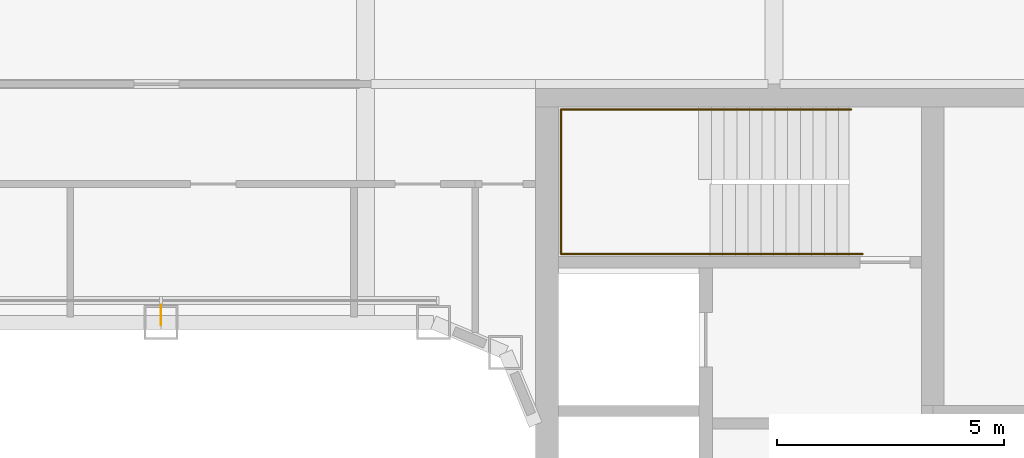
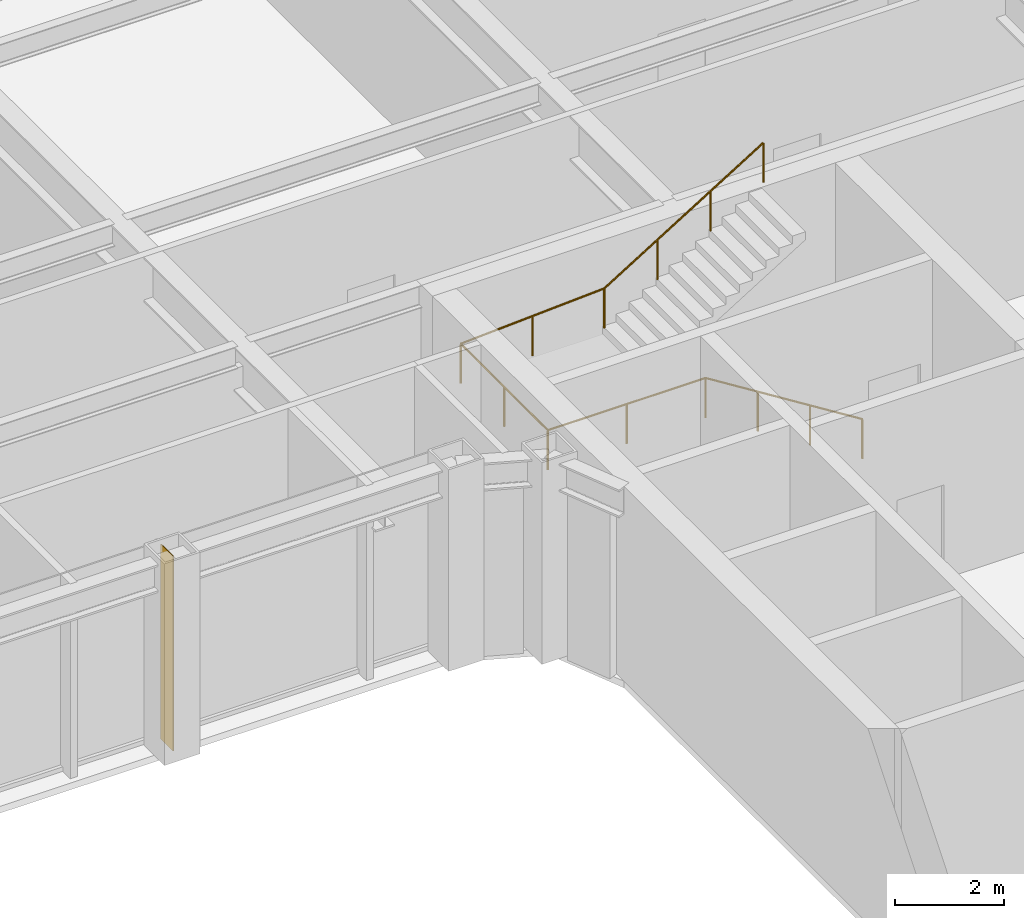
# One storey, part 28 of 30: 1 railing, 1 shading device.
"""IFC4 building model written with IfcOpenShell, lengths in metres."""

from ifc_helpers import new_model, si_unit, direction, frame, origin, origin_2d, place, context, subcontext, project, spatial, rectangle, circle, extrude, material, layer, layer_set, type_object, element, save


model = new_model("IFC4")

# Units and contexts
model_context = context("Model", 3, precision=1e-05, world=origin(), true_north=direction((0.0, 1.0)))
body_context = subcontext(model_context, "Body", "Model", "MODEL_VIEW")
ifc_project = project(units=[si_unit("LENGTHUNIT", "METRE"), si_unit("AREAUNIT", "SQUARE_METRE"), si_unit("VOLUMEUNIT", "CUBIC_METRE"), si_unit("PLANEANGLEUNIT", "RADIAN"), si_unit("MASSUNIT", "GRAM", prefix="KILO")], contexts=[model_context])

# Site, building, storey
site_placement = place(None, origin())
site = spatial("IfcSite", under=ifc_project, at=site_placement, CompositionType="ELEMENT")
building_placement = place(site_placement, origin())
building = spatial("IfcBuilding", under=site, at=building_placement, Name="Siwar Civic Tower", CompositionType="ELEMENT")
storey_placement = place(building_placement, frame((0.0, 0.0, 80.699951171875)))
storey = spatial("IfcBuildingStorey", under=building, at=storey_placement, Name="L17", CompositionType="ELEMENT", Elevation=80.699951171875)

# Railing
ifc_material_1 = material(Name="Stainless steel", Category="steel")
railing_type = type_object("IfcRailingType", Name="CORE-STAIR-HANDRAIL", PredefinedType="HANDRAIL", material=ifc_material_1)
railing_placement = place(storey_placement, frame((15.449951171875, 9.758056640625, 0.173095703125)))
element("IfcRailing", 1, at=railing_placement, inside=storey, type_object=railing_type, Name="Stair handrail ST3", PredefinedType="HANDRAIL", context=body_context, shape_type="SweptSolid", body=[
    extrude(circle(Radius=0.02001953125, at=origin_2d()), frame((0.0, 0.0, 0.8798828125), z_axis=(-0.847063342986, 0.0, 0.531491950051), x_axis=(0.0, -1.0, 0.0)), (0.0, 0.0, 1.0), 3.90771484375),
    extrude(circle(Radius=0.02001953125, at=origin_2d()), frame((-3.31005859375, 0.0, 2.956787109375), z_axis=(-1.0, 0.0, 0.0), x_axis=(0.0, -1.0, 0.0)), (0.0, 0.0, 1.0), 3.331787109375),
    extrude(circle(Radius=0.02001953125, at=origin_2d()), frame((-6.641845703125, 0.0, 2.956787109375), z_axis=(0.0, 1.0, 0.0), x_axis=(-1.0, 0.0, 0.0)), (0.0, 0.0, 1.0), 3.183837890625),
    extrude(circle(Radius=0.02001953125, at=origin_2d()), frame((-6.641845703125, 3.183837890625, 2.956787109375), z_axis=(0.99837434197, 0.0, 0.056997134106), x_axis=(0.0, 1.0, 0.0)), (0.0, 0.0, 1.0), 3.036865234375),
    extrude(circle(Radius=0.02001953125, at=origin_2d()), frame((-3.60986328125, 3.183837890625, 3.1298828125), z_axis=(0.850606129759, 0.0, 0.525803396734), x_axis=(0.0, 1.0, 0.0)), (0.0, 0.0, 1.0), 3.949951171875),
    extrude(circle(Radius=0.02001953125, at=origin_2d()), origin(), (0.0, 0.0, 1.0), 0.85986328125),
    extrude(circle(Radius=0.02001953125, at=origin_2d()), frame((-1.103271484375, 0.0, 0.6923828125)), (0.0, 0.0, 1.0), 0.85986328125),
    extrude(circle(Radius=0.02001953125, at=origin_2d()), frame((-2.206787109375, 0.0, 1.384521484375)), (0.0, 0.0, 1.0), 0.85986328125),
    extrude(circle(Radius=0.02001953125, at=origin_2d()), frame((-3.31005859375, 0.0, 2.076904296875)), (0.0, 0.0, 1.0), 0.85986328125),
    extrude(circle(Radius=0.02001953125, at=origin_2d()), frame((-4.97607421875, 0.0, 2.076904296875)), (0.0, 0.0, 1.0), 0.85986328125),
    extrude(circle(Radius=0.02001953125, at=origin_2d()), frame((-6.641845703125, 0.0, 2.076904296875)), (0.0, 0.0, 1.0), 0.85986328125),
    extrude(circle(Radius=0.02001953125, at=origin_2d()), frame((-6.641845703125, 1.591796875, 2.076904296875)), (0.0, 0.0, 1.0), 0.85986328125),
    extrude(circle(Radius=0.02001953125, at=origin_2d()), frame((-6.641845703125, 3.183837890625, 2.076904296875)), (0.0, 0.0, 1.0), 0.85986328125),
    extrude(circle(Radius=0.02001953125, at=origin_2d()), frame((-5.1259765625, 3.183837890625, 2.16357421875)), (0.0, 0.0, 1.0), 0.85986328125),
    extrude(circle(Radius=0.02001953125, at=origin_2d()), frame((-3.60986328125, 3.183837890625, 2.25)), (0.0, 0.0, 1.0), 0.85986328125),
    extrude(circle(Radius=0.02001953125, at=origin_2d()), frame((-2.489990234375, 3.183837890625, 2.9423828125)), (0.0, 0.0, 1.0), 0.85986328125),
    extrude(circle(Radius=0.02001953125, at=origin_2d()), frame((-1.369873046875, 3.183837890625, 3.634521484375)), (0.0, 0.0, 1.0), 0.85986328125),
    extrude(circle(Radius=0.02001953125, at=origin_2d()), frame((-0.25, 3.183837890625, 4.326904296875)), (0.0, 0.0, 1.0), 0.85986328125),
])

# Shading device
ifc_material_2 = material(Name="Aluminium 6063-T6", Category="aluminium")
ifc_layer = layer(ifc_material_2, 0.02001953125)
ifc_layer_set = layer_set([ifc_layer], Name="Aluminium 6063-T6")
shading_device_type = type_object("IfcShadingDeviceType", Name="ENV-FIN", PredefinedType="JALOUSIE", material=ifc_layer_set)
shading_device_placement = place(storey_placement, frame((0.0, 8.419921875, 0.0), z_axis=(0.0, 0.0, 1.0), x_axis=(-1.0, 0.0, 0.0)))
element("IfcShadingDevice", 2, at=shading_device_placement, inside=storey, type_object=shading_device_type, Name="SUNSHADE fin WN 1", PredefinedType="JALOUSIE", context=body_context, shape_type="SweptSolid", body=[
    extrude(rectangle(XDim=0.02001953125, YDim=0.449951171875, at=origin_2d()), origin(), (0.0, 0.0, 1.0), 4.35009765625),
])

save(model, "model.ifc")
